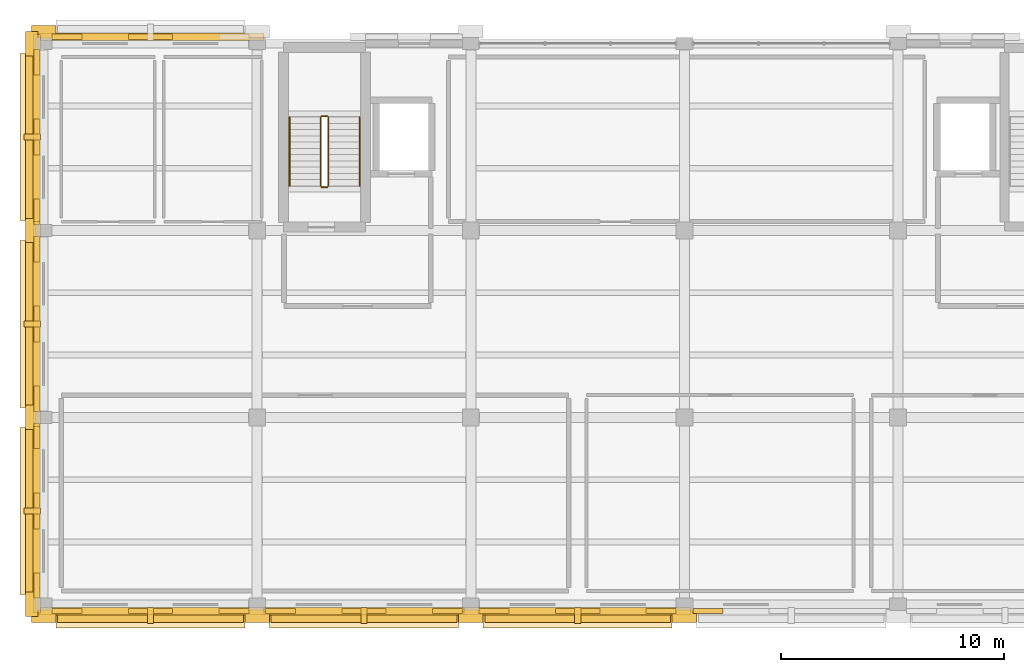
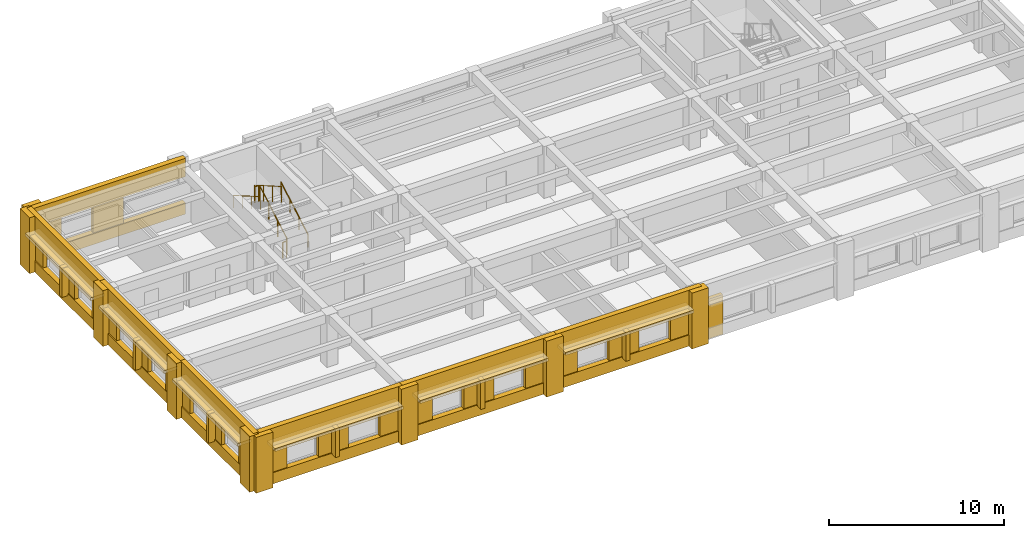
# One storey, part 9 of 11: 56 coverings, 6 railings, 6 shading devices.
"""IFC4 building model written with IfcOpenShell, lengths in metres."""

from ifc_helpers import new_model, si_unit, direction, frame, origin, origin_2d, place, context, subcontext, project, spatial, rectangle, circle, extrude, material, layer, layer_set, type_object, element, save


model = new_model("IFC4")

# Units and contexts
model_context = context("Model", 3, precision=1e-05, world=origin(), true_north=direction((0.0, 1.0)))
body_context = subcontext(model_context, "Body", "Model", "MODEL_VIEW")
ifc_project = project(units=[si_unit("LENGTHUNIT", "METRE"), si_unit("AREAUNIT", "SQUARE_METRE"), si_unit("VOLUMEUNIT", "CUBIC_METRE"), si_unit("PLANEANGLEUNIT", "RADIAN"), si_unit("MASSUNIT", "GRAM", prefix="KILO")], contexts=[model_context])

# Site, building, storey
site_placement = place(None, origin())
site = spatial("IfcSite", under=ifc_project, at=site_placement, CompositionType="ELEMENT")
building_placement = place(site_placement, origin())
building = spatial("IfcBuilding", under=site, at=building_placement, Name="Bempovik Park Faculty of Sciences", CompositionType="ELEMENT")
storey_placement = place(building_placement, frame((0.0, 0.0, 30.60009765625)))
storey = spatial("IfcBuildingStorey", under=building, at=storey_placement, Name="L07", CompositionType="ELEMENT", Elevation=30.60009765625)

# Coverings
ifc_material_1 = material(Name="Precast concrete C40/50", Category="concrete")
ifc_layer_1 = layer(ifc_material_1, 0.179931640625)
ifc_layer_set_1 = layer_set([ifc_layer_1], Name="Precast concrete C40/50")
covering_type_1 = type_object("IfcCoveringType", Name="CL-02 Classical Cornice Band 180mm", PredefinedType="CLADDING", material=ifc_layer_set_1)
for number, where, z_axis, x_axis, name in (
    (1, (59.39990234375, 98.39990234375, 2.66015625), (0.0, 0.0, 1.0), (1.0, 0.0, 0.0), "L07 Classical Stone Solar Window Hood EW-L07-10664"),
    (2, (59.39990234375, 106.800048828125, 2.66015625), (0.0, 0.0, 1.0), (1.0, 0.0, 0.0), "L07 Classical Stone Solar Window Hood EW-L07-10677"),
    (3, (59.39990234375, 115.199951171875, 2.66015625), (0.0, 0.0, 1.0), (1.0, 0.0, 0.0), "L07 Classical Stone Solar Window Hood EW-L07-10689"),
):
    element("IfcCovering", number, at=place(storey_placement, frame(where, z_axis=z_axis, x_axis=x_axis)), inside=storey, type_object=covering_type_1, Name=name, PredefinedType="CLADDING", context=body_context, shape_type="SweptSolid", body=[
        extrude(rectangle(XDim=0.919921875, YDim=7.49609375, at=origin_2d()), origin(), (0.0, 0.0, 1.0), 0.219970703125),
    ])
for number, where, z_axis, x_axis, name in (
    (4, (64.800048828125, 93.60009765625, 2.66015625), (0.0, 0.0, 1.0), (1.0, 0.0, 0.0), "L07 Classical Stone Solar Window Hood EW-L07-10701"),
    (5, (74.39990234375, 93.60009765625, 2.66015625), (0.0, 0.0, 1.0), (1.0, 0.0, 0.0), "L07 Classical Stone Solar Window Hood EW-L07-10714"),
    (6, (84.0, 93.60009765625, 2.66015625), (0.0, 0.0, 1.0), (1.0, 0.0, 0.0), "L07 Classical Stone Solar Window Hood EW-L07-10726"),
):
    element("IfcCovering", number, at=place(storey_placement, frame(where, z_axis=z_axis, x_axis=x_axis)), inside=storey, type_object=covering_type_1, Name=name, PredefinedType="CLADDING", context=body_context, shape_type="SweptSolid", body=[
        extrude(rectangle(XDim=8.49609375, YDim=0.919921875, at=origin_2d()), origin(), (0.0, 0.0, 1.0), 0.219970703125),
    ])
ifc_material_2 = material(Name="White reconstituted limestone precast C40/50", Category="masonry")
ifc_layer_2 = layer(ifc_material_2, 0.239990234375)
ifc_layer_set_2 = layer_set([ifc_layer_2], Name="White reconstituted limestone precast C40/50")
covering_type_2 = type_object("IfcCoveringType", Name="CL-03 Classical Fluted Limestone Pilaster 240mm", PredefinedType="CLADDING", material=ifc_layer_set_2)
covering_1_placement = place(storey_placement, frame((64.800048828125, 119.7099609375, 2.6201171875), z_axis=(0.0, 0.0, 1.0), x_axis=(1.0, 0.0, 0.0)))
element("IfcCovering", 7, at=covering_1_placement, inside=storey, type_object=covering_type_2, Name="L07 Classical Limestone Spandrel Entablature EW-L07-10592", PredefinedType="CLADDING", context=body_context, shape_type="SweptSolid", body=[
    extrude(rectangle(XDim=10.196044921875, YDim=0.340087890625, at=origin_2d()), origin(), (0.0, 0.0, 1.0), 1.280029296875),
])
covering_2_placement = place(storey_placement, frame((64.800048828125, 119.7099609375, 0.0), z_axis=(0.0, 0.0, 1.0), x_axis=(1.0, 0.0, 0.0)))
element("IfcCovering", 8, at=covering_2_placement, inside=storey, type_object=covering_type_2, Name="L07 Classical Limestone Sill Dado EW-L07-10592", PredefinedType="CLADDING", context=body_context, shape_type="SweptSolid", body=[
    extrude(rectangle(XDim=10.196044921875, YDim=0.340087890625, at=origin_2d()), origin(), (0.0, 0.0, 1.0), 0.780029296875),
])
covering_3_placement = place(storey_placement, frame((60.0, 119.929931640625, 0.0), z_axis=(0.0, 0.0, 1.0), x_axis=(1.0, 0.0, 0.0)))
element("IfcCovering", 9, at=covering_3_placement, inside=storey, type_object=covering_type_2, Name="L07 Classical Fluted Stone Pilaster PIL-BA-L07-600-1199", PredefinedType="CLADDING", context=body_context, shape_type="SweptSolid", body=[
    extrude(rectangle(XDim=1.10009765625, YDim=0.580078125, at=origin_2d()), origin(), (0.0, 0.0, 1.0), 3.89990234375),
])
covering_4_placement = place(storey_placement, frame((61.05126953125, 119.699951171875, 0.0), z_axis=(0.0, 0.0, 1.0), x_axis=(1.0, 0.0, 0.0)))
element("IfcCovering", 10, at=covering_4_placement, inside=storey, type_object=covering_type_2, Name="L07 White Limestone Wall Cheek EW-L07-10592-0", PredefinedType="CLADDING", context=body_context, shape_type="SweptSolid", body=[
    extrude(rectangle(XDim=1.348388671875, YDim=0.239990234375, at=origin_2d()), origin(), (0.0, 0.0, 1.0), 2.780029296875),
])
covering_5_placement = place(storey_placement, frame((64.800048828125, 119.699951171875, 0.0), z_axis=(0.0, 0.0, 1.0), x_axis=(1.0, 0.0, 0.0)))
element("IfcCovering", 11, at=covering_5_placement, inside=storey, type_object=covering_type_2, Name="L07 White Limestone Wall Cheek EW-L07-10592-2", PredefinedType="CLADDING", context=body_context, shape_type="SweptSolid", body=[
    extrude(rectangle(XDim=1.9892578125, YDim=0.239990234375, at=origin_2d()), origin(), (0.0, 0.0, 1.0), 2.780029296875),
])
covering_6_placement = place(storey_placement, frame((59.68994140625, 98.39990234375, 2.6201171875), z_axis=(0.0, 0.0, 1.0), x_axis=(1.0, 0.0, 0.0)))
element("IfcCovering", 12, at=covering_6_placement, inside=storey, type_object=covering_type_2, Name="L07 Classical Limestone Spandrel Entablature EW-L07-10664", PredefinedType="CLADDING", context=body_context, shape_type="SweptSolid", body=[
    extrude(rectangle(XDim=0.340087890625, YDim=9.196044921875, at=origin_2d()), origin(), (0.0, 0.0, 1.0), 1.280029296875),
])
covering_7_placement = place(storey_placement, frame((59.68994140625, 98.39990234375, 0.0), z_axis=(0.0, 0.0, 1.0), x_axis=(1.0, 0.0, 0.0)))
element("IfcCovering", 13, at=covering_7_placement, inside=storey, type_object=covering_type_2, Name="L07 Classical Limestone Sill Dado EW-L07-10664", PredefinedType="CLADDING", context=body_context, shape_type="SweptSolid", body=[
    extrude(rectangle(XDim=0.340087890625, YDim=9.196044921875, at=origin_2d()), origin(), (0.0, 0.0, 1.0), 0.780029296875),
])
for number, where, z_axis, x_axis, name in (
    (14, (59.469970703125, 94.199951171875, 0.0), (0.0, 0.0, 1.0), (1.0, 0.0, 0.0), "L07 Classical Fluted Stone Pilaster PIL-BA-L07-595-942"),
    (15, (59.469970703125, 102.60009765625, 0.0), (0.0, 0.0, 1.0), (1.0, 0.0, 0.0), "L07 Classical Fluted Stone Pilaster PIL-BA-L07-595-1026"),
):
    element("IfcCovering", number, at=place(storey_placement, frame(where, z_axis=z_axis, x_axis=x_axis)), inside=storey, type_object=covering_type_2, Name=name, PredefinedType="CLADDING", context=body_context, shape_type="SweptSolid", body=[
        extrude(rectangle(XDim=0.580078125, YDim=1.10009765625, at=origin_2d()), origin(), (0.0, 0.0, 1.0), 3.89990234375),
    ])
covering_8_placement = place(storey_placement, frame((59.699951171875, 95.041259765625, 0.0), z_axis=(0.0, 0.0, 1.0), x_axis=(1.0, 0.0, 0.0)))
element("IfcCovering", 16, at=covering_8_placement, inside=storey, type_object=covering_type_2, Name="L07 White Limestone Wall Cheek EW-L07-10664-0", PredefinedType="CLADDING", context=body_context, shape_type="SweptSolid", body=[
    extrude(rectangle(XDim=0.239990234375, YDim=1.12841796875, at=origin_2d()), origin(), (0.0, 0.0, 1.0), 2.780029296875),
])
covering_9_placement = place(storey_placement, frame((59.699951171875, 98.39990234375, 0.0), z_axis=(0.0, 0.0, 1.0), x_axis=(1.0, 0.0, 0.0)))
element("IfcCovering", 17, at=covering_9_placement, inside=storey, type_object=covering_type_2, Name="L07 White Limestone Wall Cheek EW-L07-10664-2", PredefinedType="CLADDING", context=body_context, shape_type="SweptSolid", body=[
    extrude(rectangle(XDim=0.239990234375, YDim=1.629150390625, at=origin_2d()), origin(), (0.0, 0.0, 1.0), 2.780029296875),
])
covering_10_placement = place(storey_placement, frame((59.699951171875, 101.7587890625, 0.0), z_axis=(0.0, 0.0, 1.0), x_axis=(1.0, 0.0, 0.0)))
element("IfcCovering", 18, at=covering_10_placement, inside=storey, type_object=covering_type_2, Name="L07 White Limestone Wall Cheek EW-L07-10664-4", PredefinedType="CLADDING", context=body_context, shape_type="SweptSolid", body=[
    extrude(rectangle(XDim=0.239990234375, YDim=1.12841796875, at=origin_2d()), origin(), (0.0, 0.0, 1.0), 2.780029296875),
])
covering_11_placement = place(storey_placement, frame((59.489990234375, 98.39990234375, 0.64990234375), z_axis=(0.0, 0.0, 1.0), x_axis=(1.0, 0.0, 0.0)))
element("IfcCovering", 19, at=covering_11_placement, inside=storey, type_object=covering_type_2, Name="L07 Classical Vertical Stone Shading Fin EW-L07-10664", PredefinedType="CLADDING", context=body_context, shape_type="SweptSolid", body=[
    extrude(rectangle(XDim=0.719970703125, YDim=0.280029296875, at=origin_2d()), origin(), (0.0, 0.0, 1.0), 2.050048828125),
])
covering_12_placement = place(storey_placement, frame((59.68994140625, 106.800048828125, 2.6201171875), z_axis=(0.0, 0.0, 1.0), x_axis=(1.0, 0.0, 0.0)))
element("IfcCovering", 20, at=covering_12_placement, inside=storey, type_object=covering_type_2, Name="L07 Classical Limestone Spandrel Entablature EW-L07-10677", PredefinedType="CLADDING", context=body_context, shape_type="SweptSolid", body=[
    extrude(rectangle(XDim=0.340087890625, YDim=9.196044921875, at=origin_2d()), origin(), (0.0, 0.0, 1.0), 1.280029296875),
])
covering_13_placement = place(storey_placement, frame((59.68994140625, 106.800048828125, 0.0), z_axis=(0.0, 0.0, 1.0), x_axis=(1.0, 0.0, 0.0)))
element("IfcCovering", 21, at=covering_13_placement, inside=storey, type_object=covering_type_2, Name="L07 Classical Limestone Sill Dado EW-L07-10677", PredefinedType="CLADDING", context=body_context, shape_type="SweptSolid", body=[
    extrude(rectangle(XDim=0.340087890625, YDim=9.196044921875, at=origin_2d()), origin(), (0.0, 0.0, 1.0), 0.780029296875),
])
covering_14_placement = place(storey_placement, frame((59.469970703125, 111.0, 0.0), z_axis=(0.0, 0.0, 1.0), x_axis=(1.0, 0.0, 0.0)))
element("IfcCovering", 22, at=covering_14_placement, inside=storey, type_object=covering_type_2, Name="L07 Classical Fluted Stone Pilaster PIL-BA-L07-595-1110", PredefinedType="CLADDING", context=body_context, shape_type="SweptSolid", body=[
    extrude(rectangle(XDim=0.580078125, YDim=1.10009765625, at=origin_2d()), origin(), (0.0, 0.0, 1.0), 3.89990234375),
])
covering_15_placement = place(storey_placement, frame((59.699951171875, 103.441162109375, 0.0), z_axis=(0.0, 0.0, 1.0), x_axis=(1.0, 0.0, 0.0)))
element("IfcCovering", 23, at=covering_15_placement, inside=storey, type_object=covering_type_2, Name="L07 White Limestone Wall Cheek EW-L07-10677-0", PredefinedType="CLADDING", context=body_context, shape_type="SweptSolid", body=[
    extrude(rectangle(XDim=0.239990234375, YDim=1.12841796875, at=origin_2d()), origin(), (0.0, 0.0, 1.0), 2.780029296875),
])
covering_16_placement = place(storey_placement, frame((59.699951171875, 106.800048828125, 0.0), z_axis=(0.0, 0.0, 1.0), x_axis=(1.0, 0.0, 0.0)))
element("IfcCovering", 24, at=covering_16_placement, inside=storey, type_object=covering_type_2, Name="L07 White Limestone Wall Cheek EW-L07-10677-2", PredefinedType="CLADDING", context=body_context, shape_type="SweptSolid", body=[
    extrude(rectangle(XDim=0.239990234375, YDim=1.629150390625, at=origin_2d()), origin(), (0.0, 0.0, 1.0), 2.780029296875),
])
covering_17_placement = place(storey_placement, frame((59.699951171875, 110.15869140625, 0.0), z_axis=(0.0, 0.0, 1.0), x_axis=(1.0, 0.0, 0.0)))
element("IfcCovering", 25, at=covering_17_placement, inside=storey, type_object=covering_type_2, Name="L07 White Limestone Wall Cheek EW-L07-10677-4", PredefinedType="CLADDING", context=body_context, shape_type="SweptSolid", body=[
    extrude(rectangle(XDim=0.239990234375, YDim=1.12841796875, at=origin_2d()), origin(), (0.0, 0.0, 1.0), 2.780029296875),
])
covering_18_placement = place(storey_placement, frame((59.489990234375, 106.800048828125, 0.64990234375), z_axis=(0.0, 0.0, 1.0), x_axis=(1.0, 0.0, 0.0)))
element("IfcCovering", 26, at=covering_18_placement, inside=storey, type_object=covering_type_2, Name="L07 Classical Vertical Stone Shading Fin EW-L07-10677", PredefinedType="CLADDING", context=body_context, shape_type="SweptSolid", body=[
    extrude(rectangle(XDim=0.719970703125, YDim=0.280029296875, at=origin_2d()), origin(), (0.0, 0.0, 1.0), 2.050048828125),
])
covering_19_placement = place(storey_placement, frame((59.68994140625, 115.199951171875, 2.6201171875), z_axis=(0.0, 0.0, 1.0), x_axis=(1.0, 0.0, 0.0)))
element("IfcCovering", 27, at=covering_19_placement, inside=storey, type_object=covering_type_2, Name="L07 Classical Limestone Spandrel Entablature EW-L07-10689", PredefinedType="CLADDING", context=body_context, shape_type="SweptSolid", body=[
    extrude(rectangle(XDim=0.340087890625, YDim=9.196044921875, at=origin_2d()), origin(), (0.0, 0.0, 1.0), 1.280029296875),
])
covering_20_placement = place(storey_placement, frame((59.68994140625, 115.199951171875, 0.0), z_axis=(0.0, 0.0, 1.0), x_axis=(1.0, 0.0, 0.0)))
element("IfcCovering", 28, at=covering_20_placement, inside=storey, type_object=covering_type_2, Name="L07 Classical Limestone Sill Dado EW-L07-10689", PredefinedType="CLADDING", context=body_context, shape_type="SweptSolid", body=[
    extrude(rectangle(XDim=0.340087890625, YDim=9.196044921875, at=origin_2d()), origin(), (0.0, 0.0, 1.0), 0.780029296875),
])
covering_21_placement = place(storey_placement, frame((59.469970703125, 119.39990234375, 0.0), z_axis=(0.0, 0.0, 1.0), x_axis=(1.0, 0.0, 0.0)))
element("IfcCovering", 29, at=covering_21_placement, inside=storey, type_object=covering_type_2, Name="L07 Classical Fluted Stone Pilaster PIL-BA-L07-595-1194", PredefinedType="CLADDING", context=body_context, shape_type="SweptSolid", body=[
    extrude(rectangle(XDim=0.580078125, YDim=1.10009765625, at=origin_2d()), origin(), (0.0, 0.0, 1.0), 3.89990234375),
])
covering_22_placement = place(storey_placement, frame((59.699951171875, 111.84130859375, 0.0), z_axis=(0.0, 0.0, 1.0), x_axis=(1.0, 0.0, 0.0)))
element("IfcCovering", 30, at=covering_22_placement, inside=storey, type_object=covering_type_2, Name="L07 White Limestone Wall Cheek EW-L07-10689-0", PredefinedType="CLADDING", context=body_context, shape_type="SweptSolid", body=[
    extrude(rectangle(XDim=0.239990234375, YDim=1.12841796875, at=origin_2d()), origin(), (0.0, 0.0, 1.0), 2.780029296875),
])
covering_23_placement = place(storey_placement, frame((59.699951171875, 115.199951171875, 0.0), z_axis=(0.0, 0.0, 1.0), x_axis=(1.0, 0.0, 0.0)))
element("IfcCovering", 31, at=covering_23_placement, inside=storey, type_object=covering_type_2, Name="L07 White Limestone Wall Cheek EW-L07-10689-2", PredefinedType="CLADDING", context=body_context, shape_type="SweptSolid", body=[
    extrude(rectangle(XDim=0.239990234375, YDim=1.629150390625, at=origin_2d()), origin(), (0.0, 0.0, 1.0), 2.780029296875),
])
covering_24_placement = place(storey_placement, frame((59.699951171875, 118.558837890625, 0.0), z_axis=(0.0, 0.0, 1.0), x_axis=(1.0, 0.0, 0.0)))
element("IfcCovering", 32, at=covering_24_placement, inside=storey, type_object=covering_type_2, Name="L07 White Limestone Wall Cheek EW-L07-10689-4", PredefinedType="CLADDING", context=body_context, shape_type="SweptSolid", body=[
    extrude(rectangle(XDim=0.239990234375, YDim=1.12841796875, at=origin_2d()), origin(), (0.0, 0.0, 1.0), 2.780029296875),
])
covering_25_placement = place(storey_placement, frame((59.489990234375, 115.199951171875, 0.64990234375), z_axis=(0.0, 0.0, 1.0), x_axis=(1.0, 0.0, 0.0)))
element("IfcCovering", 33, at=covering_25_placement, inside=storey, type_object=covering_type_2, Name="L07 Classical Vertical Stone Shading Fin EW-L07-10689", PredefinedType="CLADDING", context=body_context, shape_type="SweptSolid", body=[
    extrude(rectangle(XDim=0.719970703125, YDim=0.280029296875, at=origin_2d()), origin(), (0.0, 0.0, 1.0), 2.050048828125),
])
covering_26_placement = place(storey_placement, frame((64.800048828125, 93.889892578125, 2.6201171875), z_axis=(0.0, 0.0, 1.0), x_axis=(1.0, 0.0, 0.0)))
element("IfcCovering", 34, at=covering_26_placement, inside=storey, type_object=covering_type_2, Name="L07 Classical Limestone Spandrel Entablature EW-L07-10701", PredefinedType="CLADDING", context=body_context, shape_type="SweptSolid", body=[
    extrude(rectangle(XDim=10.196044921875, YDim=0.340087890625, at=origin_2d()), origin(), (0.0, 0.0, 1.0), 1.280029296875),
])
covering_27_placement = place(storey_placement, frame((64.800048828125, 93.889892578125, 0.0), z_axis=(0.0, 0.0, 1.0), x_axis=(1.0, 0.0, 0.0)))
element("IfcCovering", 35, at=covering_27_placement, inside=storey, type_object=covering_type_2, Name="L07 Classical Limestone Sill Dado EW-L07-10701", PredefinedType="CLADDING", context=body_context, shape_type="SweptSolid", body=[
    extrude(rectangle(XDim=10.196044921875, YDim=0.340087890625, at=origin_2d()), origin(), (0.0, 0.0, 1.0), 0.780029296875),
])
for number, where, z_axis, x_axis, name in (
    (36, (60.0, 93.669921875, 0.0), (0.0, 0.0, 1.0), (1.0, 0.0, 0.0), "L07 Classical Fluted Stone Pilaster PIL-BA-L07-600-937"),
    (37, (69.60009765625, 93.669921875, 0.0), (0.0, 0.0, 1.0), (1.0, 0.0, 0.0), "L07 Classical Fluted Stone Pilaster PIL-BA-L07-696-937"),
):
    element("IfcCovering", number, at=place(storey_placement, frame(where, z_axis=z_axis, x_axis=x_axis)), inside=storey, type_object=covering_type_2, Name=name, PredefinedType="CLADDING", context=body_context, shape_type="SweptSolid", body=[
        extrude(rectangle(XDim=1.10009765625, YDim=0.580078125, at=origin_2d()), origin(), (0.0, 0.0, 1.0), 3.89990234375),
    ])
covering_28_placement = place(storey_placement, frame((61.05126953125, 93.89990234375, 0.0), z_axis=(0.0, 0.0, 1.0), x_axis=(1.0, 0.0, 0.0)))
element("IfcCovering", 38, at=covering_28_placement, inside=storey, type_object=covering_type_2, Name="L07 White Limestone Wall Cheek EW-L07-10701-0", PredefinedType="CLADDING", context=body_context, shape_type="SweptSolid", body=[
    extrude(rectangle(XDim=1.348388671875, YDim=0.239990234375, at=origin_2d()), origin(), (0.0, 0.0, 1.0), 2.780029296875),
])
covering_29_placement = place(storey_placement, frame((64.800048828125, 93.89990234375, 0.0), z_axis=(0.0, 0.0, 1.0), x_axis=(1.0, 0.0, 0.0)))
element("IfcCovering", 39, at=covering_29_placement, inside=storey, type_object=covering_type_2, Name="L07 White Limestone Wall Cheek EW-L07-10701-2", PredefinedType="CLADDING", context=body_context, shape_type="SweptSolid", body=[
    extrude(rectangle(XDim=1.9892578125, YDim=0.239990234375, at=origin_2d()), origin(), (0.0, 0.0, 1.0), 2.780029296875),
])
covering_30_placement = place(storey_placement, frame((68.548828125, 93.89990234375, 0.0), z_axis=(0.0, 0.0, 1.0), x_axis=(1.0, 0.0, 0.0)))
element("IfcCovering", 40, at=covering_30_placement, inside=storey, type_object=covering_type_2, Name="L07 White Limestone Wall Cheek EW-L07-10701-4", PredefinedType="CLADDING", context=body_context, shape_type="SweptSolid", body=[
    extrude(rectangle(XDim=1.348388671875, YDim=0.239990234375, at=origin_2d()), origin(), (0.0, 0.0, 1.0), 2.780029296875),
])
covering_31_placement = place(storey_placement, frame((64.800048828125, 93.68994140625, 0.699951171875), z_axis=(0.0, 0.0, 1.0), x_axis=(1.0, 0.0, 0.0)))
element("IfcCovering", 41, at=covering_31_placement, inside=storey, type_object=covering_type_2, Name="L07 Classical Vertical Stone Shading Fin EW-L07-10701", PredefinedType="CLADDING", context=body_context, shape_type="SweptSolid", body=[
    extrude(rectangle(XDim=0.280029296875, YDim=0.719970703125, at=origin_2d()), origin(), (0.0, 0.0, 1.0), 2.0),
])
covering_32_placement = place(storey_placement, frame((74.39990234375, 93.889892578125, 2.6201171875), z_axis=(0.0, 0.0, 1.0), x_axis=(1.0, 0.0, 0.0)))
element("IfcCovering", 42, at=covering_32_placement, inside=storey, type_object=covering_type_2, Name="L07 Classical Limestone Spandrel Entablature EW-L07-10714", PredefinedType="CLADDING", context=body_context, shape_type="SweptSolid", body=[
    extrude(rectangle(XDim=10.196044921875, YDim=0.340087890625, at=origin_2d()), origin(), (0.0, 0.0, 1.0), 1.280029296875),
])
covering_33_placement = place(storey_placement, frame((74.39990234375, 93.889892578125, 0.0), z_axis=(0.0, 0.0, 1.0), x_axis=(1.0, 0.0, 0.0)))
element("IfcCovering", 43, at=covering_33_placement, inside=storey, type_object=covering_type_2, Name="L07 Classical Limestone Sill Dado EW-L07-10714", PredefinedType="CLADDING", context=body_context, shape_type="SweptSolid", body=[
    extrude(rectangle(XDim=10.196044921875, YDim=0.340087890625, at=origin_2d()), origin(), (0.0, 0.0, 1.0), 0.780029296875),
])
covering_34_placement = place(storey_placement, frame((79.199951171875, 93.669921875, 0.0), z_axis=(0.0, 0.0, 1.0), x_axis=(1.0, 0.0, 0.0)))
element("IfcCovering", 44, at=covering_34_placement, inside=storey, type_object=covering_type_2, Name="L07 Classical Fluted Stone Pilaster PIL-BA-L07-792-937", PredefinedType="CLADDING", context=body_context, shape_type="SweptSolid", body=[
    extrude(rectangle(XDim=1.10009765625, YDim=0.580078125, at=origin_2d()), origin(), (0.0, 0.0, 1.0), 3.89990234375),
])
covering_35_placement = place(storey_placement, frame((70.651123046875, 93.89990234375, 0.0), z_axis=(0.0, 0.0, 1.0), x_axis=(1.0, 0.0, 0.0)))
element("IfcCovering", 45, at=covering_35_placement, inside=storey, type_object=covering_type_2, Name="L07 White Limestone Wall Cheek EW-L07-10714-0", PredefinedType="CLADDING", context=body_context, shape_type="SweptSolid", body=[
    extrude(rectangle(XDim=1.348388671875, YDim=0.239990234375, at=origin_2d()), origin(), (0.0, 0.0, 1.0), 2.780029296875),
])
covering_36_placement = place(storey_placement, frame((74.39990234375, 93.89990234375, 0.0), z_axis=(0.0, 0.0, 1.0), x_axis=(1.0, 0.0, 0.0)))
element("IfcCovering", 46, at=covering_36_placement, inside=storey, type_object=covering_type_2, Name="L07 White Limestone Wall Cheek EW-L07-10714-2", PredefinedType="CLADDING", context=body_context, shape_type="SweptSolid", body=[
    extrude(rectangle(XDim=1.9892578125, YDim=0.239990234375, at=origin_2d()), origin(), (0.0, 0.0, 1.0), 2.780029296875),
])
covering_37_placement = place(storey_placement, frame((78.148681640625, 93.89990234375, 0.0), z_axis=(0.0, 0.0, 1.0), x_axis=(1.0, 0.0, 0.0)))
element("IfcCovering", 47, at=covering_37_placement, inside=storey, type_object=covering_type_2, Name="L07 White Limestone Wall Cheek EW-L07-10714-4", PredefinedType="CLADDING", context=body_context, shape_type="SweptSolid", body=[
    extrude(rectangle(XDim=1.348388671875, YDim=0.239990234375, at=origin_2d()), origin(), (0.0, 0.0, 1.0), 2.780029296875),
])
covering_38_placement = place(storey_placement, frame((74.39990234375, 93.68994140625, 0.699951171875), z_axis=(0.0, 0.0, 1.0), x_axis=(1.0, 0.0, 0.0)))
element("IfcCovering", 48, at=covering_38_placement, inside=storey, type_object=covering_type_2, Name="L07 Classical Vertical Stone Shading Fin EW-L07-10714", PredefinedType="CLADDING", context=body_context, shape_type="SweptSolid", body=[
    extrude(rectangle(XDim=0.280029296875, YDim=0.719970703125, at=origin_2d()), origin(), (0.0, 0.0, 1.0), 2.0),
])
covering_39_placement = place(storey_placement, frame((84.0, 93.889892578125, 2.6201171875), z_axis=(0.0, 0.0, 1.0), x_axis=(1.0, 0.0, 0.0)))
element("IfcCovering", 49, at=covering_39_placement, inside=storey, type_object=covering_type_2, Name="L07 Classical Limestone Spandrel Entablature EW-L07-10726", PredefinedType="CLADDING", context=body_context, shape_type="SweptSolid", body=[
    extrude(rectangle(XDim=10.196044921875, YDim=0.340087890625, at=origin_2d()), origin(), (0.0, 0.0, 1.0), 1.280029296875),
])
covering_40_placement = place(storey_placement, frame((84.0, 93.889892578125, 0.0), z_axis=(0.0, 0.0, 1.0), x_axis=(1.0, 0.0, 0.0)))
element("IfcCovering", 50, at=covering_40_placement, inside=storey, type_object=covering_type_2, Name="L07 Classical Limestone Sill Dado EW-L07-10726", PredefinedType="CLADDING", context=body_context, shape_type="SweptSolid", body=[
    extrude(rectangle(XDim=10.196044921875, YDim=0.340087890625, at=origin_2d()), origin(), (0.0, 0.0, 1.0), 0.780029296875),
])
covering_41_placement = place(storey_placement, frame((88.800048828125, 93.669921875, 0.0), z_axis=(0.0, 0.0, 1.0), x_axis=(1.0, 0.0, 0.0)))
element("IfcCovering", 51, at=covering_41_placement, inside=storey, type_object=covering_type_2, Name="L07 Classical Fluted Stone Pilaster PIL-BA-L07-888-937", PredefinedType="CLADDING", context=body_context, shape_type="SweptSolid", body=[
    extrude(rectangle(XDim=1.10009765625, YDim=0.580078125, at=origin_2d()), origin(), (0.0, 0.0, 1.0), 3.89990234375),
])
covering_42_placement = place(storey_placement, frame((80.251220703125, 93.89990234375, 0.0), z_axis=(0.0, 0.0, 1.0), x_axis=(1.0, 0.0, 0.0)))
element("IfcCovering", 52, at=covering_42_placement, inside=storey, type_object=covering_type_2, Name="L07 White Limestone Wall Cheek EW-L07-10726-0", PredefinedType="CLADDING", context=body_context, shape_type="SweptSolid", body=[
    extrude(rectangle(XDim=1.348388671875, YDim=0.239990234375, at=origin_2d()), origin(), (0.0, 0.0, 1.0), 2.780029296875),
])
covering_43_placement = place(storey_placement, frame((84.0, 93.89990234375, 0.0), z_axis=(0.0, 0.0, 1.0), x_axis=(1.0, 0.0, 0.0)))
element("IfcCovering", 53, at=covering_43_placement, inside=storey, type_object=covering_type_2, Name="L07 White Limestone Wall Cheek EW-L07-10726-2", PredefinedType="CLADDING", context=body_context, shape_type="SweptSolid", body=[
    extrude(rectangle(XDim=1.9892578125, YDim=0.239990234375, at=origin_2d()), origin(), (0.0, 0.0, 1.0), 2.780029296875),
])
covering_44_placement = place(storey_placement, frame((87.748779296875, 93.89990234375, 0.0), z_axis=(0.0, 0.0, 1.0), x_axis=(1.0, 0.0, 0.0)))
element("IfcCovering", 54, at=covering_44_placement, inside=storey, type_object=covering_type_2, Name="L07 White Limestone Wall Cheek EW-L07-10726-4", PredefinedType="CLADDING", context=body_context, shape_type="SweptSolid", body=[
    extrude(rectangle(XDim=1.348388671875, YDim=0.239990234375, at=origin_2d()), origin(), (0.0, 0.0, 1.0), 2.780029296875),
])
covering_45_placement = place(storey_placement, frame((84.0, 93.68994140625, 0.699951171875), z_axis=(0.0, 0.0, 1.0), x_axis=(1.0, 0.0, 0.0)))
element("IfcCovering", 55, at=covering_45_placement, inside=storey, type_object=covering_type_2, Name="L07 Classical Vertical Stone Shading Fin EW-L07-10726", PredefinedType="CLADDING", context=body_context, shape_type="SweptSolid", body=[
    extrude(rectangle(XDim=0.280029296875, YDim=0.719970703125, at=origin_2d()), origin(), (0.0, 0.0, 1.0), 2.0),
])
covering_46_placement = place(storey_placement, frame((89.851318359375, 93.89990234375, 0.0), z_axis=(0.0, 0.0, 1.0), x_axis=(1.0, 0.0, 0.0)))
element("IfcCovering", 56, at=covering_46_placement, inside=storey, type_object=covering_type_2, Name="L07 White Limestone Wall Cheek EW-L07-10738-0", PredefinedType="CLADDING", context=body_context, shape_type="SweptSolid", body=[
    extrude(rectangle(XDim=1.348388671875, YDim=0.239990234375, at=origin_2d()), origin(), (0.0, 0.0, 1.0), 2.780029296875),
])

# Railings
ifc_material_3 = material(Name="Anodised architectural bronze")
railing_type_1 = type_object("IfcRailingType", Name="GR-01 Guardrail 1120mm", PredefinedType="GUARDRAIL", material=ifc_material_3)
railing_1_placement = place(storey_placement, frame((72.800048828125, 113.0, 0.162353515625)))
element("IfcRailing", 57, at=railing_1_placement, inside=storey, type_object=railing_type_1, Name="L07 ST-1 Stair Guard 1", PredefinedType="GUARDRAIL", context=body_context, shape_type="SweptSolid", body=[
    extrude(circle(Radius=0.02392578125, at=origin_2d()), frame((0.0, 0.0, 1.09619140625), z_axis=(0.0, 0.865853233856, 0.500298088565), x_axis=(-1.0, 0.0, 0.0)), (0.0, 0.0, 1.0), 3.572998046875),
    extrude(circle(Radius=0.02099609375, at=origin_2d()), origin(), (0.0, 0.0, 1.0), 1.072021484375),
    extrude(circle(Radius=0.02099609375, at=origin_2d()), frame((0.0, 1.03125, 0.595947265625)), (0.0, 0.0, 1.0), 1.072021484375),
    extrude(circle(Radius=0.02099609375, at=origin_2d()), frame((0.0, 2.0625, 1.191650390625)), (0.0, 0.0, 1.0), 1.072021484375),
    extrude(circle(Radius=0.02099609375, at=origin_2d()), frame((0.0, 3.09375, 1.78759765625)), (0.0, 0.0, 1.0), 1.072021484375),
])
railing_2_placement = place(storey_placement, frame((72.75, 116.143798828125, 1.949951171875)))
element("IfcRailing", 58, at=railing_2_placement, inside=storey, type_object=railing_type_1, Name="L07 ST-1 Stair Guard 2", PredefinedType="GUARDRAIL", context=body_context, shape_type="SweptSolid", body=[
    extrude(circle(Radius=0.02392578125, at=origin_2d()), frame((0.0, 0.0, 1.09619140625), z_axis=(-1.0, 0.0, 0.0), x_axis=(0.0, -1.0, 0.0)), (0.0, 0.0, 1.0), 0.25),
    extrude(circle(Radius=0.02099609375, at=origin_2d()), origin(), (0.0, 0.0, 1.0), 1.072021484375),
    extrude(circle(Radius=0.02099609375, at=origin_2d()), frame((-0.25, 0.0, 0.0)), (0.0, 0.0, 1.0), 1.072021484375),
])
railing_3_placement = place(storey_placement, frame((72.449951171875, 116.09375, 2.1123046875)))
element("IfcRailing", 59, at=railing_3_placement, inside=storey, type_object=railing_type_1, Name="L07 ST-1 Stair Guard 3", PredefinedType="GUARDRAIL", context=body_context, shape_type="SweptSolid", body=[
    extrude(circle(Radius=0.02392578125, at=origin_2d()), frame((0.0, 0.0, 1.09619140625), z_axis=(0.0, -0.865853233856, 0.500298088565), x_axis=(1.0, 0.0, 0.0)), (0.0, 0.0, 1.0), 3.572998046875),
    extrude(circle(Radius=0.02099609375, at=origin_2d()), origin(), (0.0, 0.0, 1.0), 1.072021484375),
    extrude(circle(Radius=0.02099609375, at=origin_2d()), frame((0.0, -1.03125, 0.595947265625)), (0.0, 0.0, 1.0), 1.072021484375),
    extrude(circle(Radius=0.02099609375, at=origin_2d()), frame((0.0, -2.0625, 1.191650390625)), (0.0, 0.0, 1.0), 1.072021484375),
    extrude(circle(Radius=0.02099609375, at=origin_2d()), frame((0.0, -3.09375, 1.78759765625)), (0.0, 0.0, 1.0), 1.072021484375),
])
railing_4_placement = place(storey_placement, frame((72.75, 112.949951171875, 0.0)))
element("IfcRailing", 60, at=railing_4_placement, inside=storey, type_object=railing_type_1, Name="L07 ST-1 Stair Guard 4", PredefinedType="GUARDRAIL", context=body_context, shape_type="SweptSolid", body=[
    extrude(circle(Radius=0.02392578125, at=origin_2d()), frame((0.0, 0.0, 1.09619140625), z_axis=(-1.0, 0.0, 0.0), x_axis=(0.0, -1.0, 0.0)), (0.0, 0.0, 1.0), 0.25),
    extrude(circle(Radius=0.02099609375, at=origin_2d()), origin(), (0.0, 0.0, 1.0), 1.072021484375),
    extrude(circle(Radius=0.02099609375, at=origin_2d()), frame((-0.25, 0.0, 0.0)), (0.0, 0.0, 1.0), 1.072021484375),
])
railing_type_2 = type_object("IfcRailingType", Name="HR-01 Wall Handrail 900mm", PredefinedType="HANDRAIL", material=ifc_material_3)
railing_5_placement = place(storey_placement, frame((74.199951171875, 113.0, 0.162353515625)))
element("IfcRailing", 61, at=railing_5_placement, inside=storey, type_object=railing_type_2, Name="L07 ST-1 Stair Handrail 1", PredefinedType="HANDRAIL", context=body_context, shape_type="SweptSolid", body=[
    extrude(circle(Radius=0.02392578125, at=origin_2d()), frame((0.0, 0.0, 0.8759765625), z_axis=(0.0, 0.865853233856, 0.500298088565), x_axis=(-1.0, 0.0, 0.0)), (0.0, 0.0, 1.0), 3.572998046875),
    extrude(circle(Radius=0.02099609375, at=origin_2d()), origin(), (0.0, 0.0, 1.0), 0.851806640625),
    extrude(circle(Radius=0.02099609375, at=origin_2d()), frame((0.0, 1.03125, 0.595947265625)), (0.0, 0.0, 1.0), 0.851806640625),
    extrude(circle(Radius=0.02099609375, at=origin_2d()), frame((0.0, 2.0625, 1.191650390625)), (0.0, 0.0, 1.0), 0.851806640625),
    extrude(circle(Radius=0.02099609375, at=origin_2d()), frame((0.0, 3.09375, 1.78759765625)), (0.0, 0.0, 1.0), 0.851806640625),
])
railing_6_placement = place(storey_placement, frame((71.050048828125, 116.09375, 2.1123046875)))
element("IfcRailing", 62, at=railing_6_placement, inside=storey, type_object=railing_type_2, Name="L07 ST-1 Stair Handrail 2", PredefinedType="HANDRAIL", context=body_context, shape_type="SweptSolid", body=[
    extrude(circle(Radius=0.02392578125, at=origin_2d()), frame((0.0, 0.0, 0.8759765625), z_axis=(0.0, -0.865853233856, 0.500298088565), x_axis=(1.0, 0.0, 0.0)), (0.0, 0.0, 1.0), 3.572998046875),
    extrude(circle(Radius=0.02099609375, at=origin_2d()), origin(), (0.0, 0.0, 1.0), 0.851806640625),
    extrude(circle(Radius=0.02099609375, at=origin_2d()), frame((0.0, -1.03125, 0.595947265625)), (0.0, 0.0, 1.0), 0.851806640625),
    extrude(circle(Radius=0.02099609375, at=origin_2d()), frame((0.0, -2.0625, 1.191650390625)), (0.0, 0.0, 1.0), 0.851806640625),
    extrude(circle(Radius=0.02099609375, at=origin_2d()), frame((0.0, -3.09375, 1.78759765625)), (0.0, 0.0, 1.0), 0.851806640625),
])

# Shading devices
ifc_layer_3 = layer(ifc_material_3, 0.06005859375)
ifc_layer_set_3 = layer_set([ifc_layer_3], Name="Anodised architectural bronze")
shading_device_type = type_object("IfcShadingDeviceType", Name="SH-01 Bronze Brise-Soleil Fin", PredefinedType="USERDEFINED", material=ifc_layer_set_3)
for number, where, z_axis, x_axis, name in (
    (63, (59.52001953125, 98.39990234375, 2.599853515625), (0.0, 0.0, 1.0), (1.0, 0.0, 0.0), "L07 Equatorial Bronze Brise-Soleil EW-L07-10664"),
    (64, (59.52001953125, 106.800048828125, 2.599853515625), (0.0, 0.0, 1.0), (1.0, 0.0, 0.0), "L07 Equatorial Bronze Brise-Soleil EW-L07-10677"),
    (65, (59.52001953125, 115.199951171875, 2.599853515625), (0.0, 0.0, 1.0), (1.0, 0.0, 0.0), "L07 Equatorial Bronze Brise-Soleil EW-L07-10689"),
):
    element("IfcShadingDevice", number, at=place(storey_placement, frame(where, z_axis=z_axis, x_axis=x_axis)), inside=storey, type_object=shading_device_type, Name=name, ObjectType="BRISE SOLEIL", PredefinedType="USERDEFINED", context=body_context, shape_type="SweptSolid", body=[
        extrude(rectangle(XDim=0.64990234375, YDim=7.345947265625, at=origin_2d()), origin(), (0.0, 0.0, 1.0), 0.06005859375),
    ])
for number, where, z_axis, x_axis, name in (
    (66, (64.800048828125, 93.719970703125, 2.599853515625), (0.0, 0.0, 1.0), (1.0, 0.0, 0.0), "L07 Equatorial Bronze Brise-Soleil EW-L07-10701"),
    (67, (74.39990234375, 93.719970703125, 2.599853515625), (0.0, 0.0, 1.0), (1.0, 0.0, 0.0), "L07 Equatorial Bronze Brise-Soleil EW-L07-10714"),
    (68, (84.0, 93.719970703125, 2.599853515625), (0.0, 0.0, 1.0), (1.0, 0.0, 0.0), "L07 Equatorial Bronze Brise-Soleil EW-L07-10726"),
):
    element("IfcShadingDevice", number, at=place(storey_placement, frame(where, z_axis=z_axis, x_axis=x_axis)), inside=storey, type_object=shading_device_type, Name=name, ObjectType="BRISE SOLEIL", PredefinedType="USERDEFINED", context=body_context, shape_type="SweptSolid", body=[
        extrude(rectangle(XDim=8.345947265625, YDim=0.64990234375, at=origin_2d()), origin(), (0.0, 0.0, 1.0), 0.06005859375),
    ])

save(model, "model.ifc")
